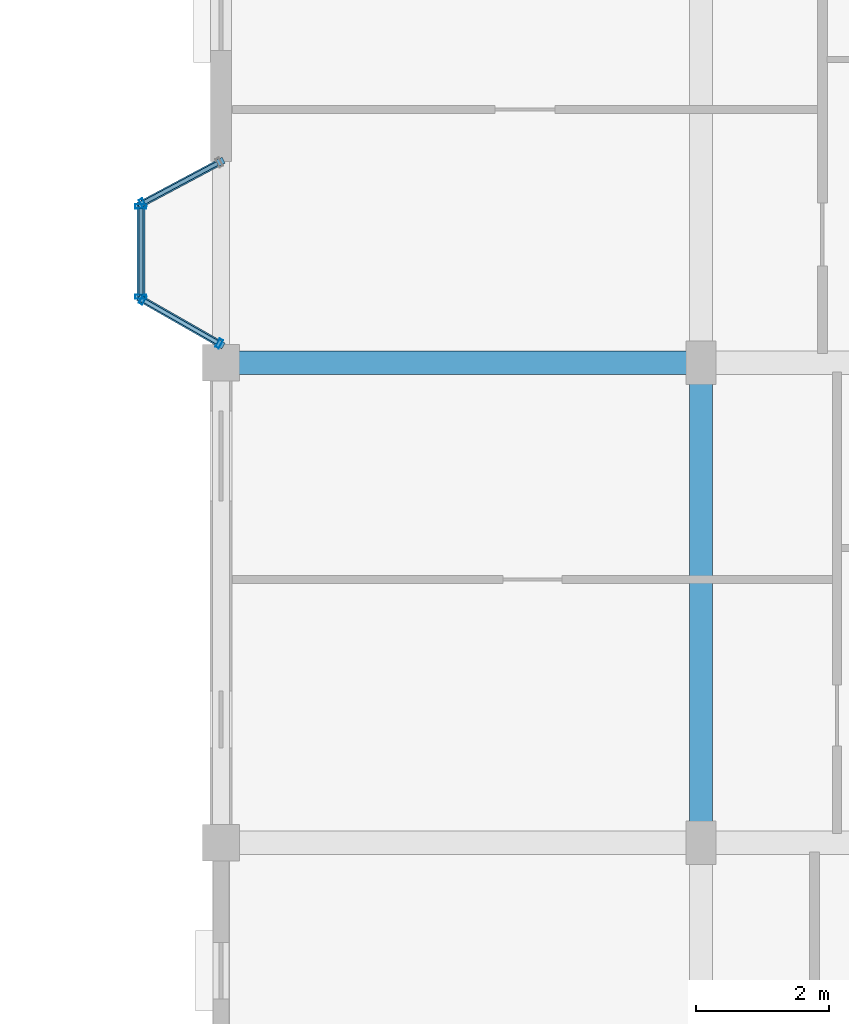
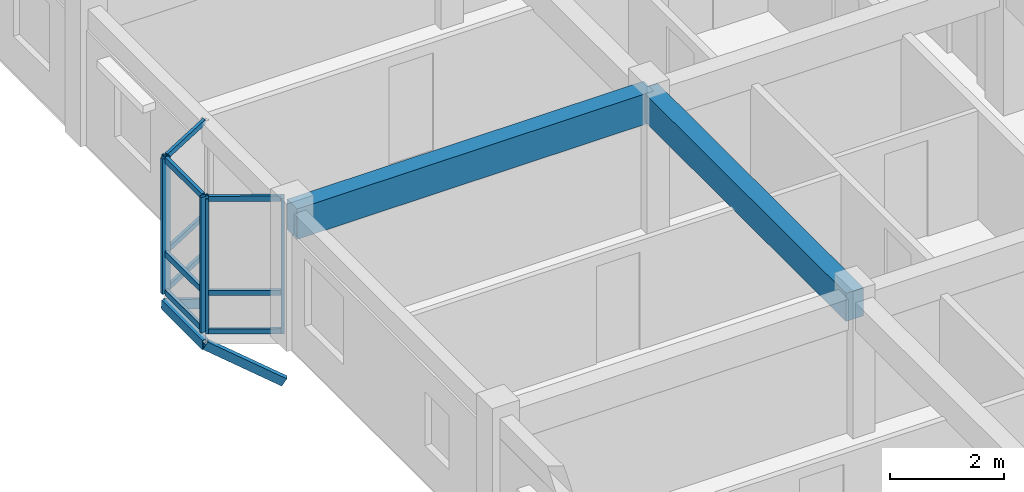
# One storey, part 27 of 77: 17 members, 2 beams, 3 elements without a shape of their own.
"""IFC4 building model written with IfcOpenShell, lengths in metres."""

import ifcopenshell
import ifcopenshell.guid

model = None  # the IFC model being written
_history = None  # IfcOwnerHistory: only IFC2X3 demands one
_inside = {}  # id of a spatial element -> (the spatial element, [elements in it])
_under = {}  # id of a project, library or spatial element -> (it, [spatial elements below it])
_declared = {}  # id of a project -> (the project, [libraries it declares])
_typed = {}  # id of a type object -> (the type object, [elements of that type])
_made_of = {}  # id of a material, layer set ... -> (it, [elements and type objects made of it])


def new_model(schema):
    """Start an empty IFC model of exactly this schema.

    Asked for "IFC4X3", IfcOpenShell would pick the latest addendum, in which some entities
    have other attributes; the version numbers below select the first issue.
    IFC2X3 requires an IfcOwnerHistory on every rooted entity: one is made here for all.
    """
    global model, _history
    if schema == "IFC4X3":
        model = ifcopenshell.file(schema_version=(4, 3, 0, 0))
    else:
        model = ifcopenshell.file(schema=schema)
    _inside.clear()
    _under.clear()
    _declared.clear()
    _typed.clear()
    _made_of.clear()
    _history = None
    if model.schema == "IFC2X3":
        org = make("IfcOrganization", Name="unknown")
        user = make(
            "IfcPersonAndOrganization",
            ThePerson=make("IfcPerson", FamilyName="unknown"),
            TheOrganization=org,
        )
        app = make(
            "IfcApplication",
            ApplicationDeveloper=org,
            Version="unknown",
            ApplicationFullName="unknown",
            ApplicationIdentifier="unknown",
        )
        _history = make(
            "IfcOwnerHistory",
            OwningUser=user,
            OwningApplication=app,
            ChangeAction="ADDED",
            CreationDate=0,
        )
    return model


def make(cls, **values):
    """One entity of the class cls with the attributes given. An attribute that is None is left unset."""
    return model.create_entity(
        cls, **{name: value for name, value in values.items() if value is not None}
    )


def rooted(cls, **values):
    """An entity with a GlobalId (a new one), such as an element, a storey or a relation."""
    return make(cls, GlobalId=ifcopenshell.guid.new(), OwnerHistory=_history, **values)


def si_unit(unit_type, name, prefix=None):
    """IfcSIUnit, for example si_unit("LENGTHUNIT", "METRE", prefix="MILLI")."""
    return make("IfcSIUnit", UnitType=unit_type, Prefix=prefix, Name=name)


def assignment(units):
    """IfcUnitAssignment: the units of a project."""
    return None if units is None else make("IfcUnitAssignment", Units=units)


def point(xyz):
    """IfcCartesianPoint."""
    return None if xyz is None else make("IfcCartesianPoint", Coordinates=xyz)


def direction(xyz):
    """IfcDirection."""
    return None if xyz is None else make("IfcDirection", DirectionRatios=xyz)


def frame(location, z_axis=None, x_axis=None):
    """IfcAxis2Placement3D, a coordinate frame: its origin and axes. An axis left out is left unset."""
    return make(
        "IfcAxis2Placement3D",
        Location=point(location),
        Axis=direction(z_axis),
        RefDirection=direction(x_axis),
    )


def frame_2d(location, x_axis=None):
    """IfcAxis2Placement2D, a coordinate frame in the plane: its origin and x axis."""
    return make(
        "IfcAxis2Placement2D", Location=point(location), RefDirection=direction(x_axis)
    )


def origin():
    """The frame at (0, 0, 0) with its axes left unset."""
    return frame((0.0, 0.0, 0.0))


def origin_2d():
    """The frame at (0, 0) in the plane with its x axis left unset."""
    return frame_2d((0.0, 0.0))


def place(relative_to, where):
    """IfcLocalPlacement: puts the frame where relative to a parent placement (None: the world)."""
    return make(
        "IfcLocalPlacement", PlacementRelTo=relative_to, RelativePlacement=where
    )


def context(
    kind, dimensions, precision=None, world=None, true_north=None, identifier=None
):
    """IfcGeometricRepresentationContext, for example the 3D "Model" context."""
    return make(
        "IfcGeometricRepresentationContext",
        ContextIdentifier=identifier,
        ContextType=kind,
        CoordinateSpaceDimension=dimensions,
        Precision=precision,
        WorldCoordinateSystem=world,
        TrueNorth=true_north,
    )


def subcontext(parent, identifier, kind, view, scale=None):
    """IfcGeometricRepresentationSubContext, for example "Body" below "Model"."""
    return make(
        "IfcGeometricRepresentationSubContext",
        ContextIdentifier=identifier,
        ContextType=kind,
        ParentContext=parent,
        TargetScale=scale,
        TargetView=view,
    )


def project(units=None, contexts=None):
    """IfcProject with its units and contexts."""
    return rooted(
        "IfcProject",
        Name="project",
        RepresentationContexts=contexts,
        UnitsInContext=assignment(units),
    )


def spatial(cls, under=None, at=None, **own):
    """A site, building, storey or space (cls), placed at a placement, below another one or the project."""
    s = rooted(cls, ObjectPlacement=at, **own)
    if under is not None:
        _under.setdefault(under.id(), (under, []))[1].append(s)
    return s


def profile(cls, at=None, kind="AREA", **sizes):
    """A parametric profile (cls). Its sizes go by their IFC names, for example OverallWidth=200.0."""
    return make(cls, ProfileType=kind, Position=at, **sizes)


def rectangle(**sizes):
    """IfcRectangleProfileDef."""
    return profile("IfcRectangleProfileDef", **sizes)


def hollow_rectangle(**sizes):
    """IfcRectangleHollowProfileDef."""
    return profile("IfcRectangleHollowProfileDef", **sizes)


def extrude(swept, where, along, depth):
    """IfcExtrudedAreaSolid: the profile swept, set in the frame where, extruded along a direction by depth."""
    return make(
        "IfcExtrudedAreaSolid",
        SweptArea=swept,
        Position=where,
        ExtrudedDirection=direction(along),
        Depth=depth,
    )


def shape(context_of_items, identifier, shape_type, items):
    """IfcShapeRepresentation: the items that make up one representation, for example the "Body"."""
    return make(
        "IfcShapeRepresentation",
        ContextOfItems=context_of_items,
        RepresentationIdentifier=identifier,
        RepresentationType=shape_type,
        Items=items,
    )


def material(Name=None, Category=None):
    """IfcMaterial."""
    return make("IfcMaterial", Name=Name, Category=Category)


def layer(
    of_material, thickness, ventilated=None, Name=None, Category=None, Priority=None
):
    """IfcMaterialLayer: one layer of a wall or slab, of a material (None: an air gap)."""
    return make(
        "IfcMaterialLayer",
        Material=of_material,
        LayerThickness=thickness,
        IsVentilated=ventilated,
        Name=Name,
        Category=Category,
        Priority=Priority,
    )


def layer_set(layers, Name=None):
    """IfcMaterialLayerSet."""
    return make("IfcMaterialLayerSet", MaterialLayers=layers, LayerSetName=Name)


def material_profile(
    of_material, cross_section, Name=None, Category=None, Priority=None
):
    """IfcMaterialProfile: a cross section and its material."""
    return make(
        "IfcMaterialProfile",
        Name=Name,
        Material=of_material,
        Profile=cross_section,
        Priority=Priority,
        Category=Category,
    )


def profile_set(profiles, Name=None, composite=None):
    """IfcMaterialProfileSet."""
    return make(
        "IfcMaterialProfileSet",
        Name=Name,
        MaterialProfiles=profiles,
        CompositeProfile=composite,
    )


def made_of(thing, what):
    """Note that an element or type object is made of a material, layer set ...; save() writes the relation."""
    if what is not None:
        _made_of.setdefault(what.id(), (what, []))[1].append(thing)
    return thing


def type_object(cls, material=None, **own):
    """A type object (cls), such as IfcWallType, which elements share."""
    return made_of(rooted(cls, **own), material)


def element(
    cls,
    number,
    at=None,
    inside=None,
    cuts=None,
    type_object=None,
    material=None,
    context=None,
    identifier="Body",
    shape_type=None,
    held_by="IfcProductDefinitionShape",
    body=None,
    shapes=None,
    **own,
):
    """One element of the class cls, such as IfcWall. Its Tag is "e" and its number.

    at: its placement. inside: the storey or other place that contains it. cuts: it is an
    opening in that element (IfcRelVoidsElement). A single representation is given by context,
    identifier, shape_type and body (its items); several are given by shapes. held_by: the class
    of the entity that holds the representations. save() writes the other relations.
    """
    e = rooted(cls, Tag="e%d" % number, ObjectPlacement=at, **own)
    if body is not None:
        shapes = [shape(context, identifier, shape_type, body)]
    if shapes is not None:
        e.Representation = make(held_by, Representations=shapes)
    if inside is not None:
        _inside.setdefault(inside.id(), (inside, []))[1].append(e)
    if cuts is not None:
        rooted(
            "IfcRelVoidsElement", RelatingBuildingElement=cuts, RelatedOpeningElement=e
        )
    if type_object is not None:
        _typed.setdefault(type_object.id(), (type_object, []))[1].append(e)
    return made_of(e, material)


def aggregate(whole, parts):
    """IfcRelAggregates: a whole, such as a stair, and the parts it consists of."""
    return rooted("IfcRelAggregates", RelatingObject=whole, RelatedObjects=parts)


def save(model, path):
    """Write the relations noted so far, then the file.

    IfcRelAggregates (storeys below a building ...), IfcRelContainedInSpatialStructure (elements
    in a storey), IfcRelDefinesByType, IfcRelAssociatesMaterial and IfcRelDeclares: one each for
    every whole, place, type object, material and project.
    """
    for whole, parts in _under.values():
        aggregate(whole, parts)
    for where, things in _inside.values():
        rooted(
            "IfcRelContainedInSpatialStructure",
            RelatedElements=things,
            RelatingStructure=where,
        )
    for kind, things in _typed.values():
        rooted("IfcRelDefinesByType", RelatedObjects=things, RelatingType=kind)
    for what, things in _made_of.values():
        rooted("IfcRelAssociatesMaterial", RelatedObjects=things, RelatingMaterial=what)
    for by, libraries in _declared.values():
        rooted("IfcRelDeclares", RelatingContext=by, RelatedDefinitions=libraries)
    model.write(path)


model = new_model("IFC4")

# Units and contexts
model_context = context("Model", 3, precision=1e-05, world=origin(), true_north=direction((0.0, 1.0)))
body_context = subcontext(model_context, "Body", "Model", "MODEL_VIEW")
ifc_project = project(units=[si_unit("LENGTHUNIT", "METRE"), si_unit("AREAUNIT", "SQUARE_METRE"), si_unit("VOLUMEUNIT", "CUBIC_METRE"), si_unit("PLANEANGLEUNIT", "RADIAN"), si_unit("MASSUNIT", "GRAM", prefix="KILO"), si_unit("THERMODYNAMICTEMPERATUREUNIT", "KELVIN"), si_unit("POWERUNIT", "WATT")], contexts=[model_context])

# Site, building, storey
site_placement = place(None, origin())
site = spatial("IfcSite", under=ifc_project, at=site_placement, CompositionType="ELEMENT")
building_placement = place(site_placement, origin())
building = spatial("IfcBuilding", under=site, at=building_placement, Name="Tavuni Mirador Residences", CompositionType="ELEMENT")
storey_placement = place(building_placement, frame((0.0, 0.0, 17.10009765625)))
storey = spatial("IfcBuildingStorey", under=building, at=storey_placement, Name="L05", CompositionType="ELEMENT", Elevation=17.10009765625)

# Beams
ifc_material_1 = material(Name="Precast concrete C40/50", Category="concrete")
ifc_material_profile_1 = material_profile(ifc_material_1, rectangle(XDim=0.35009765625, YDim=0.60009765625, at=origin_2d()), Name="PC 350x600", Category="concrete")
ifc_profile_set_1 = profile_set([ifc_material_profile_1], Name="Precast concrete C40/50")
beam_type_1 = type_object("IfcBeamType", Name="BT-B600", PredefinedType="BEAM", material=ifc_profile_set_1)
beam_1_placement = place(storey_placement, frame((97.199951171875, 100.800048828125, 2.58984375), z_axis=(0.0, 1.0, 0.0), x_axis=(-1.0, 0.0, 0.0)))
element("IfcBeam", 1, at=beam_1_placement, inside=storey, type_object=beam_type_1, Name="BMY-BLK-D-L05-01-02", PredefinedType="BEAM", context=body_context, shape_type="SweptSolid", body=[
    extrude(rectangle(XDim=0.35009765625, YDim=0.60009765625, at=origin_2d()), origin(), (0.0, 0.0, 1.0), 7.199951171875),
])
ifc_material_profile_2 = material_profile(ifc_material_1, rectangle(XDim=0.35009765625, YDim=0.64990234375, at=origin_2d()), Name="PC 350x650", Category="concrete")
ifc_profile_set_2 = profile_set([ifc_material_profile_2], Name="Precast concrete C40/50")
beam_type_2 = type_object("IfcBeamType", Name="BT-B650", PredefinedType="BEAM", material=ifc_profile_set_2)
beam_2_placement = place(storey_placement, frame((90.0, 108.0, 2.56494140625), z_axis=(1.0, 0.0, 0.0), x_axis=(0.0, 1.0, 0.0)))
element("IfcBeam", 2, at=beam_2_placement, inside=storey, type_object=beam_type_2, Name="BMX-BLK-D-L05-00-03", PredefinedType="BEAM", context=body_context, shape_type="SweptSolid", body=[
    extrude(rectangle(XDim=0.35009765625, YDim=0.64990234375, at=origin_2d()), origin(), (0.0, 0.0, 1.0), 7.199951171875),
])

# Curtain wall, member
ifc_material_2 = material(Name="Anodised aluminium", Category="aluminium")
ifc_layer_1 = layer(ifc_material_2, 0.1650390625, Name="Anodised aluminium", Category="aluminium")
ifc_layer_set_1 = layer_set([ifc_layer_1], Name="Anodised aluminium")
curtain_wall_type_1 = type_object("IfcCurtainWallType", Name="CWT-MIR-A", PredefinedType="NOTDEFINED", material=ifc_layer_set_1)
curtain_wall_1_placement = place(storey_placement, origin())
curtain_wall_1 = element("IfcCurtainWall", 3, at=curtain_wall_1_placement, inside=storey, type_object=curtain_wall_type_1, Name="CW-MIR-D-W2-L05-M1", PredefinedType="NOTDEFINED")
ifc_material_profile_3 = material_profile(ifc_material_2, hollow_rectangle(XDim=0.06005859375, YDim=0.139892578125, WallThickness=0.00390625, at=origin_2d()), Name="ALU 60x140x4.0", Category="aluminium")
ifc_profile_set_3 = profile_set([ifc_material_profile_3], Name="Anodised aluminium")
member_type_1 = type_object("IfcMemberType", Name="CWM-140", PredefinedType="MULLION", material=ifc_profile_set_3)
member_1_placement = place(storey_placement, frame((88.826416015625, 110.39404296875, 0.0), z_axis=(0.0, 0.0, 1.0), x_axis=(-0.882352941175, -0.470588235296, 0.0)))
member_1 = element("IfcMember", 4, at=member_1_placement, type_object=member_type_1, Name="CW-01 mullion 2", PredefinedType="MULLION", context=body_context, shape_type="SweptSolid", body=[
    extrude(hollow_rectangle(XDim=0.06005859375, YDim=0.139892578125, WallThickness=0.00390625, at=origin_2d()), origin(), (0.0, 0.0, 1.0), 2.889892578125),
])

# Curtain wall, members
ifc_layer_2 = layer(ifc_material_2, 0.175048828125, Name="Anodised aluminium", Category="aluminium")
ifc_layer_set_2 = layer_set([ifc_layer_2], Name="Anodised aluminium")
curtain_wall_type_2 = type_object("IfcCurtainWallType", Name="CWT-MIR-C", PredefinedType="NOTDEFINED", material=ifc_layer_set_2)
curtain_wall_2_placement = place(storey_placement, origin())
curtain_wall_2 = element("IfcCurtainWall", 5, at=curtain_wall_2_placement, inside=storey, type_object=curtain_wall_type_2, Name="CW-MIR-D-W2-L05-M2", PredefinedType="NOTDEFINED")
member_2_placement = place(storey_placement, frame((88.826171875, 108.945068359375, 0.0), z_axis=(0.0, 0.0, 1.0), x_axis=(0.868465738194, -0.495749192217, 0.0)))
member_2 = element("IfcMember", 6, at=member_2_placement, type_object=member_type_1, Name="CW-03 mullion 1", PredefinedType="MULLION", context=body_context, shape_type="SweptSolid", body=[
    extrude(hollow_rectangle(XDim=0.06005859375, YDim=0.139892578125, WallThickness=0.00390625, at=origin_2d()), origin(), (0.0, 0.0, 1.0), 2.889892578125),
])
member_3_placement = place(storey_placement, frame((89.973876953125, 108.289794921875, 0.0), z_axis=(0.0, 0.0, 1.0), x_axis=(0.868465738194, -0.495749192217, 0.0)))
member_3 = element("IfcMember", 7, at=member_3_placement, type_object=member_type_1, Name="CW-03 mullion 2", PredefinedType="MULLION", context=body_context, shape_type="SweptSolid", body=[
    extrude(hollow_rectangle(XDim=0.06005859375, YDim=0.139892578125, WallThickness=0.00390625, at=origin_2d()), origin(), (0.0, 0.0, 1.0), 2.889892578125),
])

ifc_layer_3 = layer(ifc_material_2, 0.14990234375, Name="Anodised aluminium", Category="aluminium")
ifc_layer_set_3 = layer_set([ifc_layer_3], Name="Anodised aluminium")
curtain_wall_type_3 = type_object("IfcCurtainWallType", Name="CWT-MIR-B", PredefinedType="NOTDEFINED", material=ifc_layer_set_3)
curtain_wall_3_placement = place(storey_placement, origin())
curtain_wall_3 = element("IfcCurtainWall", 8, at=curtain_wall_3_placement, inside=storey, type_object=curtain_wall_type_3, Name="CW-MIR-D-W2-L05-MF", PredefinedType="NOTDEFINED")
ifc_material_profile_4 = material_profile(ifc_material_2, hollow_rectangle(XDim=0.06494140625, YDim=0.1650390625, WallThickness=0.00439453125, at=origin_2d()), Name="ALU 65x165x4.5", Category="aluminium")
ifc_profile_set_4 = profile_set([ifc_material_profile_4], Name="Anodised aluminium")
member_type_2 = type_object("IfcMemberType", Name="CWM-165", PredefinedType="MULLION", material=ifc_profile_set_4)
member_4_placement = place(storey_placement, frame((88.800048828125, 110.347412109375, 0.0), z_axis=(0.0, 0.0, 1.0), x_axis=(0.0, -1.0, 0.0)))
member_4 = element("IfcMember", 9, at=member_4_placement, type_object=member_type_2, Name="CW-02 mullion 1", PredefinedType="MULLION", context=body_context, shape_type="SweptSolid", body=[
    extrude(hollow_rectangle(XDim=0.06494140625, YDim=0.1650390625, WallThickness=0.00439453125, at=origin_2d()), origin(), (0.0, 0.0, 1.0), 2.889892578125),
])
member_5_placement = place(storey_placement, frame((88.800048828125, 108.992431640625, 0.0), z_axis=(0.0, 0.0, 1.0), x_axis=(0.0, -1.0, 0.0)))
member_5 = element("IfcMember", 10, at=member_5_placement, type_object=member_type_2, Name="CW-02 mullion 2", PredefinedType="MULLION", context=body_context, shape_type="SweptSolid", body=[
    extrude(hollow_rectangle(XDim=0.06494140625, YDim=0.1650390625, WallThickness=0.00439453125, at=origin_2d()), origin(), (0.0, 0.0, 1.0), 2.889892578125),
])

# Member
ifc_material_profile_5 = material_profile(ifc_material_2, hollow_rectangle(XDim=0.06005859375, YDim=0.110107421875, WallThickness=0.00390625, at=origin_2d()), Name="ALU 60x110x4.0", Category="aluminium")
ifc_profile_set_5 = profile_set([ifc_material_profile_5], Name="Anodised aluminium")
member_type_3 = type_object("IfcMemberType", Name="CWT-110", PredefinedType="USERDEFINED", material=ifc_profile_set_5)
member_6_placement = place(storey_placement, frame((89.947021484375, 110.99169921875, 0.02978515625), z_axis=(-0.882342039492, -0.470608675382, 0.0), x_axis=(0.470608675382, -0.882342039492, 0.0)))
member_6 = element("IfcMember", 11, at=member_6_placement, type_object=member_type_3, Name="CW-01 transom 1.1", ObjectType="TRANSOM", PredefinedType="USERDEFINED", context=body_context, shape_type="SweptSolid", body=[
    extrude(hollow_rectangle(XDim=0.06005859375, YDim=0.110107421875, WallThickness=0.00390625, at=origin_2d()), origin(), (0.0, 0.0, 1.0), 1.239990234375),
])

member_7_placement = place(storey_placement, frame((89.947021484375, 110.99169921875, 0.849853515625), z_axis=(-0.882342039492, -0.470608675382, 0.0), x_axis=(0.470608675382, -0.882342039492, 0.0)))
member_7 = element("IfcMember", 12, at=member_7_placement, type_object=member_type_3, Name="CW-01 transom 1.2", ObjectType="TRANSOM", PredefinedType="USERDEFINED", context=body_context, shape_type="SweptSolid", body=[
    extrude(hollow_rectangle(XDim=0.06005859375, YDim=0.110107421875, WallThickness=0.00390625, at=origin_2d()), origin(), (0.0, 0.0, 1.0), 1.239990234375),
])

member_8_placement = place(storey_placement, frame((89.947021484375, 110.99169921875, 2.85986328125), z_axis=(-0.882342039492, -0.470608675382, 0.0), x_axis=(0.470608675382, -0.882342039492, 0.0)))
member_8 = element("IfcMember", 13, at=member_8_placement, type_object=member_type_3, Name="CW-01 transom 1.3", ObjectType="TRANSOM", PredefinedType="USERDEFINED", context=body_context, shape_type="SweptSolid", body=[
    extrude(hollow_rectangle(XDim=0.06005859375, YDim=0.110107421875, WallThickness=0.00390625, at=origin_2d()), origin(), (0.0, 0.0, 1.0), 1.239990234375),
])

aggregate(curtain_wall_1, [member_1, member_6, member_7, member_8])

member_9_placement = place(storey_placement, frame((88.85205078125, 108.93017578125, 0.02978515625), z_axis=(0.868504955205, -0.49568048457, 0.0), x_axis=(0.49568048457, 0.868504955205, 0.0)))
member_9 = element("IfcMember", 14, at=member_9_placement, type_object=member_type_3, Name="CW-03 transom 1.1", ObjectType="TRANSOM", PredefinedType="USERDEFINED", context=body_context, shape_type="SweptSolid", body=[
    extrude(hollow_rectangle(XDim=0.06005859375, YDim=0.110107421875, WallThickness=0.00390625, at=origin_2d()), origin(), (0.0, 0.0, 1.0), 1.261962890625),
])

member_10_placement = place(storey_placement, frame((88.85205078125, 108.93017578125, 0.849853515625), z_axis=(0.868504955205, -0.49568048457, 0.0), x_axis=(0.49568048457, 0.868504955205, 0.0)))
member_10 = element("IfcMember", 15, at=member_10_placement, type_object=member_type_3, Name="CW-03 transom 1.2", ObjectType="TRANSOM", PredefinedType="USERDEFINED", context=body_context, shape_type="SweptSolid", body=[
    extrude(hollow_rectangle(XDim=0.06005859375, YDim=0.110107421875, WallThickness=0.00390625, at=origin_2d()), origin(), (0.0, 0.0, 1.0), 1.261962890625),
])

member_11_placement = place(storey_placement, frame((88.85205078125, 108.93017578125, 2.85986328125), z_axis=(0.868504955205, -0.49568048457, 0.0), x_axis=(0.49568048457, 0.868504955205, 0.0)))
member_11 = element("IfcMember", 16, at=member_11_placement, type_object=member_type_3, Name="CW-03 transom 1.3", ObjectType="TRANSOM", PredefinedType="USERDEFINED", context=body_context, shape_type="SweptSolid", body=[
    extrude(hollow_rectangle(XDim=0.06005859375, YDim=0.110107421875, WallThickness=0.00390625, at=origin_2d()), origin(), (0.0, 0.0, 1.0), 1.261962890625),
])

aggregate(curtain_wall_2, [member_2, member_3, member_9, member_10, member_11])

ifc_material_profile_6 = material_profile(ifc_material_2, hollow_rectangle(XDim=0.06494140625, YDim=0.125, WallThickness=0.00439453125, at=origin_2d()), Name="ALU 65x125x4.5", Category="aluminium")
ifc_profile_set_6 = profile_set([ifc_material_profile_6], Name="Anodised aluminium")
member_type_4 = type_object("IfcMemberType", Name="CWT-125", PredefinedType="USERDEFINED", material=ifc_profile_set_6)
member_12_placement = place(storey_placement, frame((88.800048828125, 110.31494140625, 0.032470703125), z_axis=(0.0, -1.0, 0.0), x_axis=(1.0, 0.0, 0.0)))
member_12 = element("IfcMember", 17, at=member_12_placement, type_object=member_type_4, Name="CW-02 transom 1.1", ObjectType="TRANSOM", PredefinedType="USERDEFINED", context=body_context, shape_type="SweptSolid", body=[
    extrude(hollow_rectangle(XDim=0.06494140625, YDim=0.125, WallThickness=0.00439453125, at=origin_2d()), origin(), (0.0, 0.0, 1.0), 1.2900390625),
])

member_13_placement = place(storey_placement, frame((88.800048828125, 110.31494140625, 0.849853515625), z_axis=(0.0, -1.0, 0.0), x_axis=(1.0, 0.0, 0.0)))
member_13 = element("IfcMember", 18, at=member_13_placement, type_object=member_type_4, Name="CW-02 transom 1.2", ObjectType="TRANSOM", PredefinedType="USERDEFINED", context=body_context, shape_type="SweptSolid", body=[
    extrude(hollow_rectangle(XDim=0.06494140625, YDim=0.125, WallThickness=0.00439453125, at=origin_2d()), origin(), (0.0, 0.0, 1.0), 1.2900390625),
])

member_14_placement = place(storey_placement, frame((88.800048828125, 110.31494140625, 2.857421875), z_axis=(0.0, -1.0, 0.0), x_axis=(1.0, 0.0, 0.0)))
member_14 = element("IfcMember", 19, at=member_14_placement, type_object=member_type_4, Name="CW-02 transom 1.3", ObjectType="TRANSOM", PredefinedType="USERDEFINED", context=body_context, shape_type="SweptSolid", body=[
    extrude(hollow_rectangle(XDim=0.06494140625, YDim=0.125, WallThickness=0.00439453125, at=origin_2d()), origin(), (0.0, 0.0, 1.0), 1.2900390625),
])

aggregate(curtain_wall_3, [member_4, member_5, member_12, member_13, member_14])

# Members
ifc_material_3 = material(Name="Structural steel S355", Category="steel")
ifc_material_profile_7 = material_profile(ifc_material_3, hollow_rectangle(XDim=0.10009765625, YDim=0.179931640625, WallThickness=0.008056640625, at=origin_2d()), Name="RHS 180x100x8.0", Category="steel")
ifc_profile_set_7 = profile_set([ifc_material_profile_7], Name="Structural steel S355")
member_type_5 = type_object("IfcMemberType", Name="MT-BR-RHS180", PredefinedType="BRACE", material=ifc_profile_set_7)
member_15_placement = place(storey_placement, frame((90.0, 108.27490234375, -1.050048828125), z_axis=(-0.753903905175, 0.430407804256, 0.496364809185), x_axis=(-0.495796390047, -0.868438794398, 0.0)))
element("IfcMember", 20, at=member_15_placement, inside=storey, type_object=member_type_5, Name="MBRK-MIR-D-W2-L05-1", PredefinedType="BRACE", context=body_context, shape_type="SweptSolid", body=[
    extrude(hollow_rectangle(XDim=0.10009765625, YDim=0.179931640625, WallThickness=0.008056640625, at=origin_2d()), origin(), (0.0, 0.0, 1.0), 1.591552734375),
])
member_16_placement = place(storey_placement, frame((90.0, 111.02001953125, -1.050048828125), z_axis=(-0.762920992699, -0.406994678099, 0.502301593565), x_axis=(0.470681405175, -0.882303244255, 0.0)))
element("IfcMember", 21, at=member_16_placement, inside=storey, type_object=member_type_5, Name="MBRK-MIR-D-W2-L05-2", PredefinedType="BRACE", context=body_context, shape_type="SweptSolid", body=[
    extrude(hollow_rectangle(XDim=0.10009765625, YDim=0.179931640625, WallThickness=0.008056640625, at=origin_2d()), origin(), (0.0, 0.0, 1.0), 1.57275390625),
])
ifc_material_profile_8 = material_profile(ifc_material_3, hollow_rectangle(XDim=0.1201171875, YDim=0.199951171875, WallThickness=0.010009765625, at=origin_2d()), Name="RHS 200x120x10.0", Category="steel")
ifc_profile_set_8 = profile_set([ifc_material_profile_8], Name="Structural steel S355")
member_type_6 = type_object("IfcMemberType", Name="MT-ST-RHS200", PredefinedType="STRUT", material=ifc_profile_set_8)
member_17_placement = place(storey_placement, frame((88.800048828125, 108.9599609375, -0.260009765625), z_axis=(0.0, 1.0, 0.0), x_axis=(-1.0, 0.0, 0.0)))
element("IfcMember", 22, at=member_17_placement, inside=storey, type_object=member_type_6, Name="MRIM-MIR-D-W2-L05", PredefinedType="STRUT", context=body_context, shape_type="SweptSolid", body=[
    extrude(hollow_rectangle(XDim=0.1201171875, YDim=0.199951171875, WallThickness=0.010009765625, at=origin_2d()), origin(), (0.0, 0.0, 1.0), 1.419921875),
])

save(model, "model.ifc")
